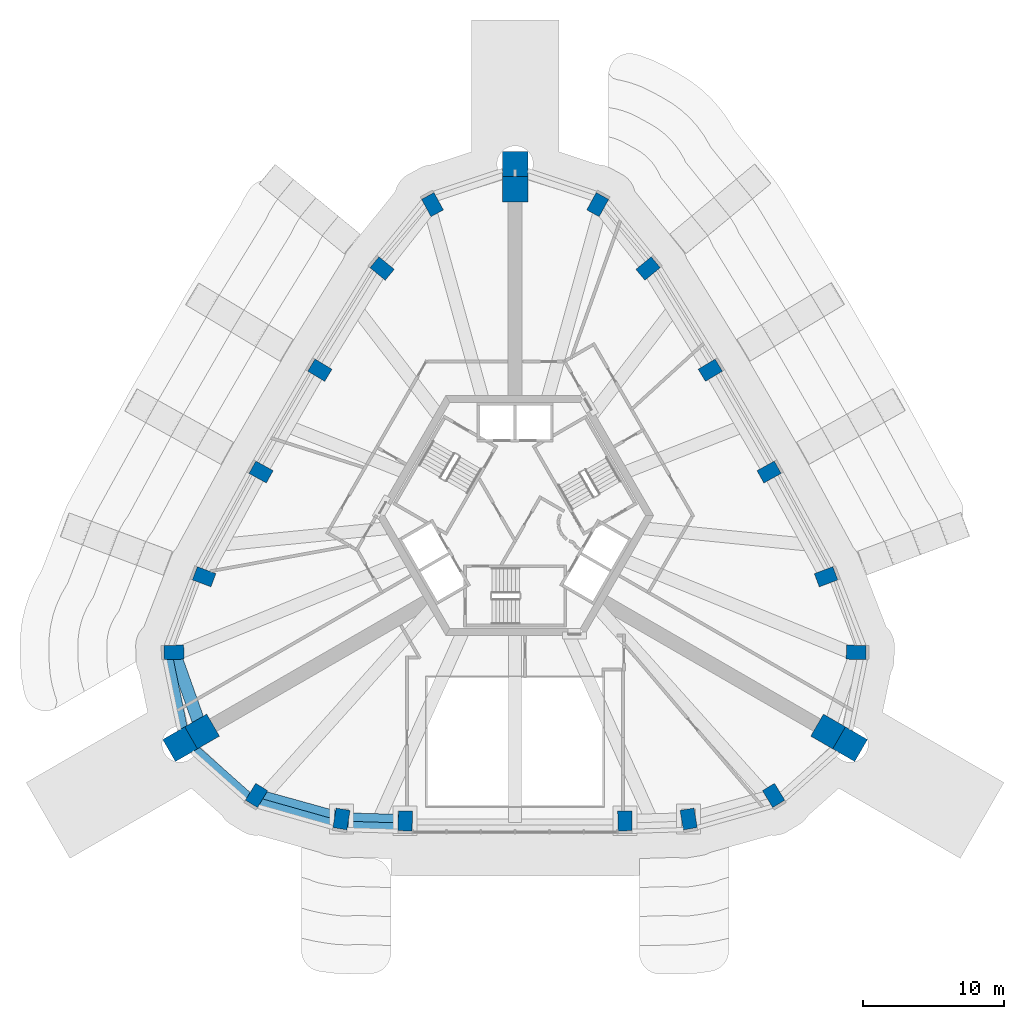
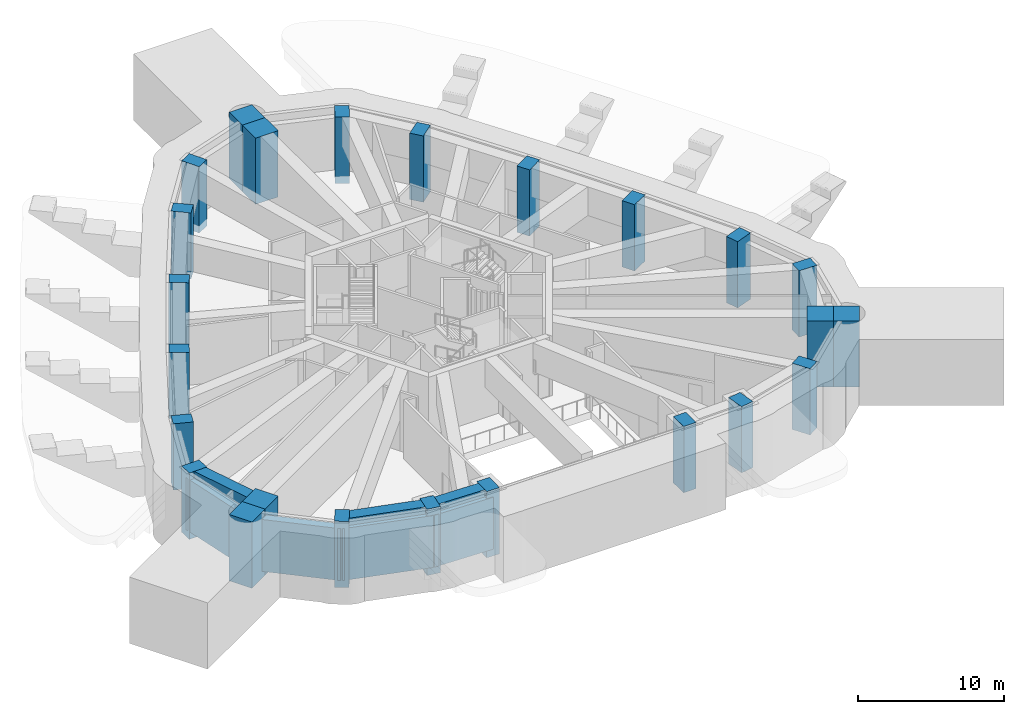
# One storey, part 1 of 15: 24 columns, 4 members, 3 beams.
"""IFC4 building model written with IfcOpenShell, lengths in metres."""

from ifc_helpers import new_model, si_unit, direction, frame, origin, origin_2d, place, context, subcontext, project, spatial, rectangle, extrude, material, material_profile, profile_set, type_object, element, save


model = new_model("IFC4")

# Units and contexts
model_context = context("Model", 3, precision=1e-05, world=origin(), true_north=direction((0.0, 1.0)))
body_context = subcontext(model_context, "Body", "Model", "MODEL_VIEW")
ifc_project = project(units=[si_unit("LENGTHUNIT", "METRE"), si_unit("AREAUNIT", "SQUARE_METRE"), si_unit("VOLUMEUNIT", "CUBIC_METRE"), si_unit("PLANEANGLEUNIT", "RADIAN"), si_unit("MASSUNIT", "GRAM", prefix="KILO")], contexts=[model_context])

# Site, building, storey
site_placement = place(None, origin())
site = spatial("IfcSite", under=ifc_project, at=site_placement, CompositionType="ELEMENT")
building_placement = place(site_placement, origin())
building = spatial("IfcBuilding", under=site, at=building_placement, Name="Entoto Arch Interchange Tower", CompositionType="ELEMENT")
storey_placement = place(building_placement, frame((0.0, 0.0, 326.0)))
storey = spatial("IfcBuildingStorey", under=building, at=storey_placement, Name="L77", CompositionType="ELEMENT", Elevation=326.0)

# Columns
ifc_material_1 = material(Name="Concrete C40/50", Category="concrete")
ifc_material_profile_1 = material_profile(ifc_material_1, rectangle(XDim=1.0, YDim=1.39990234375, at=origin_2d()))
ifc_profile_set_1 = profile_set([ifc_material_profile_1], Name="Concrete C40/50")
column_type_1 = type_object("IfcColumnType", Name="Column RC 1000x1400 C40/50", PredefinedType="COLUMN", material=ifc_profile_set_1)
for number, where, z_axis, x_axis, name in (
    (1, (-12.297119140625, -18.9990234375, -0.60009765625), (0.0, 0.0, 1.0), (-0.985785690827, 0.168007653877, 0.0), "Column S01 L77"),
    (2, (-7.781982421875, -19.134033203125, -0.60009765625), (0.0, 0.0, 1.0), (-0.999805523312, 0.019720942027, 0.0), "Column S02 L77"),
    (3, (7.781982421875, -19.134033203125, -0.60009765625), (0.0, 0.0, 1.0), (0.999805523312, 0.019720942027, 0.0), "Column S03 L77"),
    (4, (12.297119140625, -18.9990234375, -0.60009765625), (0.0, 0.0, 1.0), (0.985785690827, 0.168007653877, 0.0), "Column S04 L77"),
    (5, (18.31298828125, -17.330078125, -0.60009765625), (0.0, 0.0, 1.0), (0.853650808213, 0.520845752251, 0.0), "Column SE1 L77"),
    (6, (24.1640625, -7.194091796875, -0.60009765625), (0.0, 0.0, 1.0), (0.024257696956, 0.999705738774, 0.0), "Column SE3 L77"),
    (7, (22.027099609375, -1.841064453125, -0.60009765625), (0.0, 0.0, 1.0), (-0.3507141184, 0.93648257173, 0.0), "Column NE01 L77"),
    (8, (17.992919921875, 5.5791015625, -0.60009765625), (0.0, 0.0, 1.0), (-0.48592357098, 0.874001306158, 0.0), "Column NE02 L77"),
    (9, (13.827880859375, 12.79296875, -0.60009765625), (0.0, 0.0, 1.0), (-0.513945548584, 0.857822809845, 0.0), "Column NE03 L77"),
    (10, (9.419921875, 19.99609375, -0.60009765625), (0.0, 0.0, 1.0), (-0.635647164629, 0.771979716119, 0.0), "Column NE04 L77"),
    (11, (5.85205078125, 24.52392578125, -0.60009765625), (0.0, 0.0, 1.0), (-0.877899414566, 0.478845087586, 0.0), "Column N1 L77"),
    (12, (-5.85205078125, 24.52392578125, -0.60009765625), (0.0, 0.0, 1.0), (0.877899414566, 0.478845087586, 0.0), "Column N3 L77"),
    (13, (-9.419921875, 19.99609375, -0.60009765625), (0.0, 0.0, 1.0), (0.635647164629, 0.771979716119, 0.0), "Column NW01 L77"),
    (14, (-13.827880859375, 12.79296875, -0.60009765625), (0.0, 0.0, 1.0), (0.513945548584, 0.857822809845, 0.0), "Column NW02 L77"),
    (15, (-17.992919921875, 5.5791015625, -0.60009765625), (0.0, 0.0, 1.0), (0.48592357098, 0.874001306158, 0.0), "Column NW03 L77"),
    (16, (-22.027099609375, -1.841064453125, -0.60009765625), (0.0, 0.0, 1.0), (0.3507141184, 0.93648257173, 0.0), "Column NW04 L77"),
    (17, (-24.1640625, -7.194091796875, -0.60009765625), (0.0, 0.0, 1.0), (-0.024257696956, 0.999705738774, 0.0), "Column SW1 L77"),
    (18, (-18.31298828125, -17.330078125, -0.60009765625), (0.0, 0.0, 1.0), (-0.853650808213, 0.520845752251, 0.0), "Column SW3 L77"),
):
    element("IfcColumn", number, at=place(storey_placement, frame(where, z_axis=z_axis, x_axis=x_axis)), inside=storey, type_object=column_type_1, Name=name, PredefinedType="COLUMN", context=body_context, shape_type="SweptSolid", body=[
        extrude(rectangle(XDim=1.0, YDim=1.39990234375, at=origin_2d()), origin(), (0.0, 0.0, 1.0), 5.550048828125),
    ])
ifc_material_2 = material(Name="Precast concrete C40/50", Category="concrete")
ifc_material_profile_2 = material_profile(ifc_material_2, rectangle(XDim=1.800048828125, YDim=1.800048828125, at=origin_2d()))
ifc_profile_set_2 = profile_set([ifc_material_profile_2], Name="Precast concrete C40/50")
column_type_2 = type_object("IfcColumnType", Name="Frame post RC 1800x1800 precast C40/50", PredefinedType="COLUMN", material=ifc_profile_set_2)
for number, where, z_axis, x_axis, name in (
    (19, (23.73095703125, -13.700927734375, -0.60009765625), (0.0, 0.0, 1.0), (-0.866025403784, 0.5, 0.0), "Frame post SE L77"),
    (20, (0.0, 27.402099609375, -0.60009765625), (0.0, 0.0, 1.0), (0.0, 1.0, 0.0), "Frame post N L77"),
    (21, (-23.73095703125, -13.700927734375, -0.60009765625), (0.0, 0.0, 1.0), (0.866025403784, 0.5, 0.0), "Frame post SW L77"),
):
    element("IfcColumn", number, at=place(storey_placement, frame(where, z_axis=z_axis, x_axis=x_axis)), inside=storey, type_object=column_type_2, Name=name, PredefinedType="COLUMN", context=body_context, shape_type="SweptSolid", body=[
        extrude(rectangle(XDim=1.800048828125, YDim=1.800048828125, at=origin_2d()), origin(), (0.0, 0.0, 1.0), 5.550048828125),
    ])
ifc_material_profile_3 = material_profile(ifc_material_1, rectangle(XDim=1.800048828125, YDim=1.800048828125, at=origin_2d()))
ifc_profile_set_3 = profile_set([ifc_material_profile_3], Name="Concrete C40/50")
column_type_3 = type_object("IfcColumnType", Name="Mega column RC 1800x1800 C40/50", PredefinedType="COLUMN", material=ifc_profile_set_3)
for number, where, z_axis, x_axis, name in (
    (22, (22.172119140625, -12.801025390625, -0.60009765625), (0.0, 0.0, 1.0), (-0.866025403784, 0.5, 0.0), "Corner mega column SE2 L77"),
    (23, (0.0, 25.60205078125, -0.60009765625), (0.0, 0.0, 1.0), (0.0, 1.0, 0.0), "Corner mega column N2 L77"),
    (24, (-22.172119140625, -12.801025390625, -0.60009765625), (0.0, 0.0, 1.0), (0.866025403784, 0.5, 0.0), "Corner mega column SW2 L77"),
):
    element("IfcColumn", number, at=place(storey_placement, frame(where, z_axis=z_axis, x_axis=x_axis)), inside=storey, type_object=column_type_3, Name=name, PredefinedType="COLUMN", context=body_context, shape_type="SweptSolid", body=[
        extrude(rectangle(XDim=1.800048828125, YDim=1.800048828125, at=origin_2d()), origin(), (0.0, 0.0, 1.0), 5.550048828125),
    ])

# Members
ifc_material_profile_4 = material_profile(ifc_material_1, rectangle(XDim=0.60009765625, YDim=4.35009765625, at=origin_2d()))
ifc_profile_set_4 = profile_set([ifc_material_profile_4], Name="Concrete C40/50")
member_type = type_object("IfcMemberType", Name="Belt member RC 600x4350 C40/50", PredefinedType="USERDEFINED", material=ifc_profile_set_4)
member_1_placement = place(storey_placement, frame((-12.37890625, -19.443115234375, 2.175048828125), z_axis=(0.999493632007, -0.031819484239, 0.0), x_axis=(0.031819484239, 0.999493632007, 0.0)))
element("IfcMember", 25, at=member_1_placement, inside=storey, type_object=member_type, Name="Belt beam 01 L77", ObjectType="BELT BEAM", PredefinedType="USERDEFINED", context=body_context, shape_type="SweptSolid", body=[
    extrude(rectangle(XDim=0.60009765625, YDim=4.35009765625, at=origin_2d()), origin(), (0.0, 0.0, 1.0), 4.58837890625),
])
member_2_placement = place(storey_placement, frame((-24.60205078125, -7.25390625, 2.175048828125), z_axis=(0.201339052454, -0.979521610766, 0.0), x_axis=(0.979521610766, 0.201339052454, 0.0)))
element("IfcMember", 26, at=member_2_placement, inside=storey, type_object=member_type, Name="Belt beam 19 L77", ObjectType="BELT BEAM", PredefinedType="USERDEFINED", context=body_context, shape_type="SweptSolid", body=[
    extrude(rectangle(XDim=0.60009765625, YDim=4.35009765625, at=origin_2d()), origin(), (0.0, 0.0, 1.0), 6.343017578125),
])
member_3_placement = place(storey_placement, frame((-23.324951171875, -13.467041015625, 2.175048828125), z_axis=(0.747633442588, -0.664111613755, 0.0), x_axis=(0.664111613755, 0.747633442588, 0.0)))
element("IfcMember", 27, at=member_3_placement, inside=storey, type_object=member_type, Name="Belt beam 20 L77", ObjectType="BELT BEAM", PredefinedType="USERDEFINED", context=body_context, shape_type="SweptSolid", body=[
    extrude(rectangle(XDim=0.60009765625, YDim=4.35009765625, at=origin_2d()), origin(), (0.0, 0.0, 1.0), 6.369384765625),
])
member_4_placement = place(storey_placement, frame((-18.56298828125, -17.697021484375, 2.175048828125), z_axis=(0.962373790372, -0.271729070223, 0.0), x_axis=(0.271729070223, 0.962373790372, 0.0)))
element("IfcMember", 28, at=member_4_placement, inside=storey, type_object=member_type, Name="Belt beam 21 L77", ObjectType="BELT BEAM", PredefinedType="USERDEFINED", context=body_context, shape_type="SweptSolid", body=[
    extrude(rectangle(XDim=0.60009765625, YDim=4.35009765625, at=origin_2d()), origin(), (0.0, 0.0, 1.0), 6.42578125),
])

# Beams
ifc_material_profile_5 = material_profile(ifc_material_1, rectangle(XDim=0.89990234375, YDim=2.39990234375, at=origin_2d()))
ifc_profile_set_5 = profile_set([ifc_material_profile_5], Name="Concrete C40/50")
beam_type = type_object("IfcBeamType", Name="Transfer beam RC 900x2400 C40/50", PredefinedType="BEAM", material=ifc_profile_set_5)
beam_1_placement = place(storey_placement, frame((-18.31298828125, -17.330078125, 3.75), z_axis=(0.963605817615, -0.267327193264, 0.0), x_axis=(0.267327193264, 0.963605817615, 0.0)))
element("IfcBeam", 29, at=beam_1_placement, inside=storey, type_object=beam_type, Name="Transfer girder S01 L77", PredefinedType="BEAM", context=body_context, shape_type="SweptSolid", body=[
    extrude(rectangle(XDim=0.89990234375, YDim=2.39990234375, at=origin_2d()), origin(), (0.0, 0.0, 1.0), 6.2431640625),
])
beam_2_placement = place(storey_placement, frame((-12.297119140625, -18.9990234375, 3.75), z_axis=(0.999553247027, -0.029888231081, 0.0), x_axis=(0.029888231081, 0.999553247027, 0.0)))
element("IfcBeam", 30, at=beam_2_placement, inside=storey, type_object=beam_type, Name="Transfer girder S02 L77", PredefinedType="BEAM", context=body_context, shape_type="SweptSolid", body=[
    extrude(rectangle(XDim=0.89990234375, YDim=2.39990234375, at=origin_2d()), origin(), (0.0, 0.0, 1.0), 4.51708984375),
])
beam_3_placement = place(storey_placement, frame((-24.1640625, -7.194091796875, 3.75), z_axis=(0.334766011092, -0.942301288239, 0.0), x_axis=(0.942301288239, 0.334766011092, 0.0)))
element("IfcBeam", 31, at=beam_3_placement, inside=storey, type_object=beam_type, Name="Transfer girder NW05 L77", PredefinedType="BEAM", context=body_context, shape_type="SweptSolid", body=[
    extrude(rectangle(XDim=0.89990234375, YDim=2.39990234375, at=origin_2d()), origin(), (0.0, 0.0, 1.0), 5.9501953125),
])

save(model, "model.ifc")
